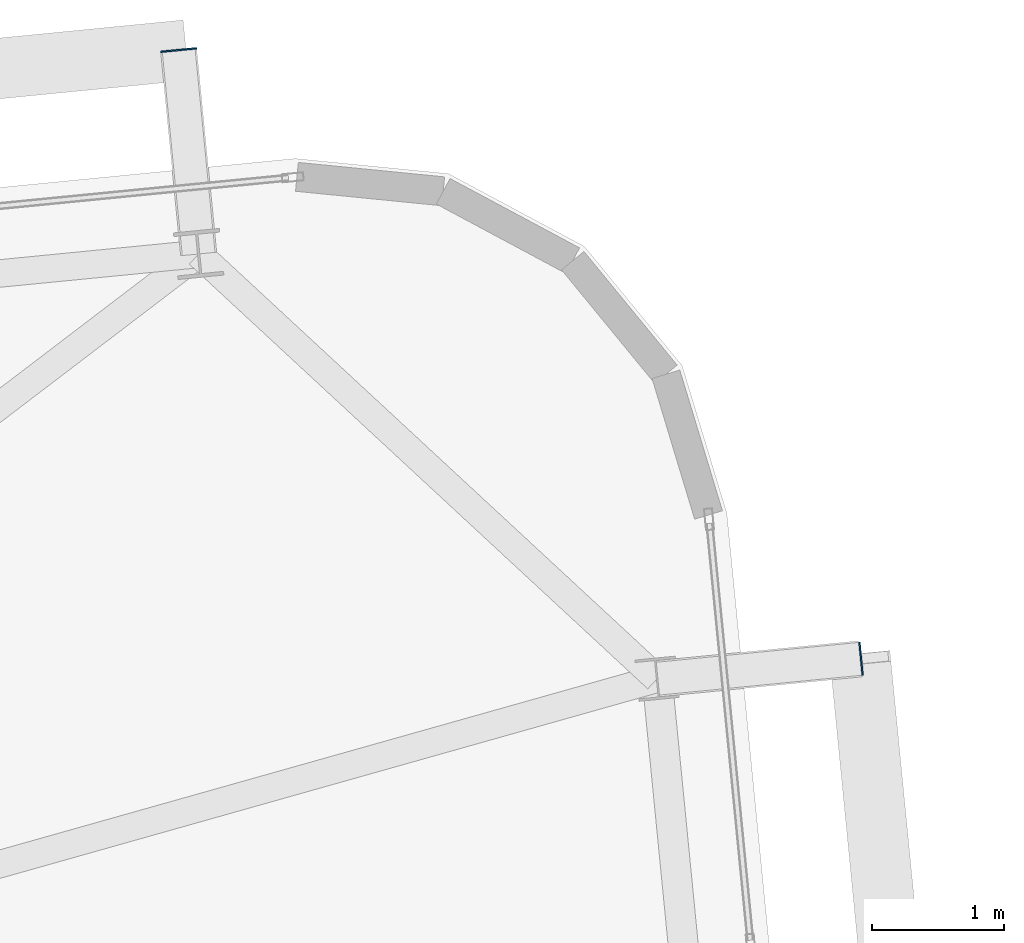
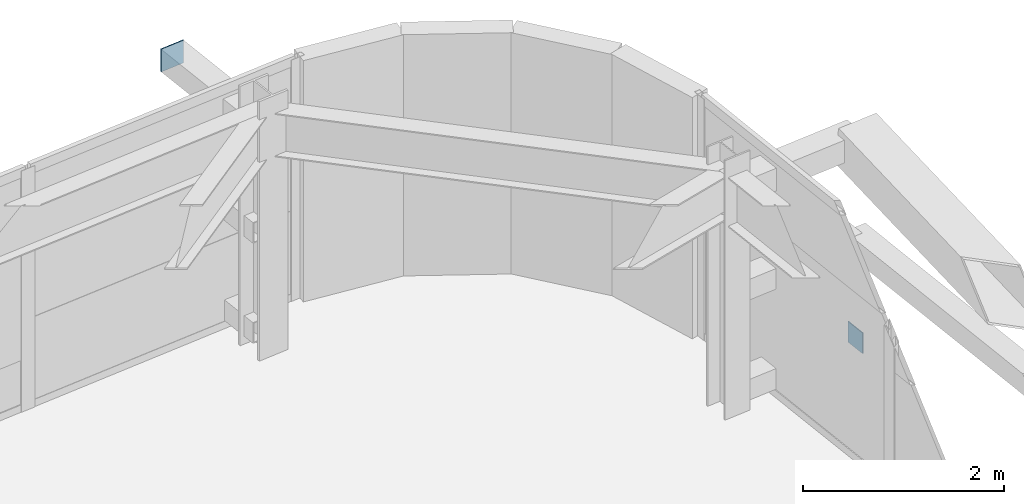
# One storey, part 45 of 52: 2 plates.
"""IFC4 building model written with IfcOpenShell, lengths in metres."""

from ifc_helpers import new_model, si_unit, direction, frame, origin, origin_2d, place, context, subcontext, project, spatial, rectangle, extrude, source, transform, mapped, material, layer, layer_set, type_object, element, save


model = new_model("IFC4")

# Units and contexts
model_context = context("Model", 3, precision=1e-05, world=origin(), true_north=direction((0.0, 1.0)))
body_context = subcontext(model_context, "Body", "Model", "MODEL_VIEW")
ifc_project = project(units=[si_unit("LENGTHUNIT", "METRE"), si_unit("AREAUNIT", "SQUARE_METRE"), si_unit("VOLUMEUNIT", "CUBIC_METRE"), si_unit("PLANEANGLEUNIT", "RADIAN"), si_unit("MASSUNIT", "GRAM", prefix="KILO")], contexts=[model_context])

# Site, building, storey
site_placement = place(None, origin())
site = spatial("IfcSite", under=ifc_project, at=site_placement, CompositionType="ELEMENT")
building_placement = place(site_placement, origin())
building = spatial("IfcBuilding", under=site, at=building_placement, Name="Taldren Reach Tower", CompositionType="ELEMENT")
storey_placement = place(building_placement, frame((0.0, 0.0, 77.699951171875)))
storey = spatial("IfcBuildingStorey", under=building, at=storey_placement, Name="L23", CompositionType="ELEMENT", Elevation=77.699951171875)

# Plates
ifc_material_1 = material(Name="Steel Gr 450 (C450L0)", Category="steel")
ifc_layer_1 = layer(ifc_material_1, 0.011962890625)
ifc_layer_set_1 = layer_set([ifc_layer_1], Name="Steel Gr 450 (C450L0)")
plate_type_1 = type_object("IfcPlateType", Name="PL-CAP-275", PredefinedType="SHEET", material=ifc_layer_set_1)
shared_shape_1 = source(origin(), body_context, "Body", "SweptSolid", [
    extrude(rectangle(XDim=0.27490234375, YDim=0.011962890625, at=origin_2d()), origin(), (0.0, 0.0, 1.0), 0.27490234375),
])
plate_1_placement = place(storey_placement, frame((59.614013671875, 40.228515625, 2.5126953125), z_axis=(0.0, 0.0, 1.0), x_axis=(0.995227399982, 0.097582899759, 0.0)))
element("IfcPlate", 1, at=plate_1_placement, inside=storey, type_object=plate_type_1, Name="Tie strut end cap plate B2-N6 L23", PredefinedType="SHEET", context=body_context, shape_type="MappedRepresentation", body=[
    mapped(shared_shape_1, transform((0.0, 0.0, 0.0), scale=1.0)),
])
ifc_material_2 = material(Name="Steel Gr 350 (C350L0)", Category="steel")
ifc_layer_2 = layer(ifc_material_2, 0.011962890625)
ifc_layer_set_2 = layer_set([ifc_layer_2], Name="Steel Gr 350 (C350L0)")
plate_type_2 = type_object("IfcPlateType", Name="PL-CAP-250", PredefinedType="SHEET", material=ifc_layer_set_2)
shared_shape_2 = source(origin(), body_context, "Body", "SweptSolid", [
    extrude(rectangle(XDim=0.011962890625, YDim=0.25, at=origin_2d()), origin(), (0.0, 0.0, 1.0), 0.25),
])
plate_2_placement = place(storey_placement, frame((64.7958984375, 35.60595703125, 0.094970703125), z_axis=(0.0, 0.0, 1.0), x_axis=(0.995227399982, 0.097582899759, 0.0)))
element("IfcPlate", 2, at=plate_2_placement, inside=storey, type_object=plate_type_2, Name="Tie strut end cap plate B2-E3 L23", PredefinedType="SHEET", context=body_context, shape_type="MappedRepresentation", body=[
    mapped(shared_shape_2, transform((0.0, 0.0, 0.0), scale=1.0)),
])

save(model, "model.ifc")
